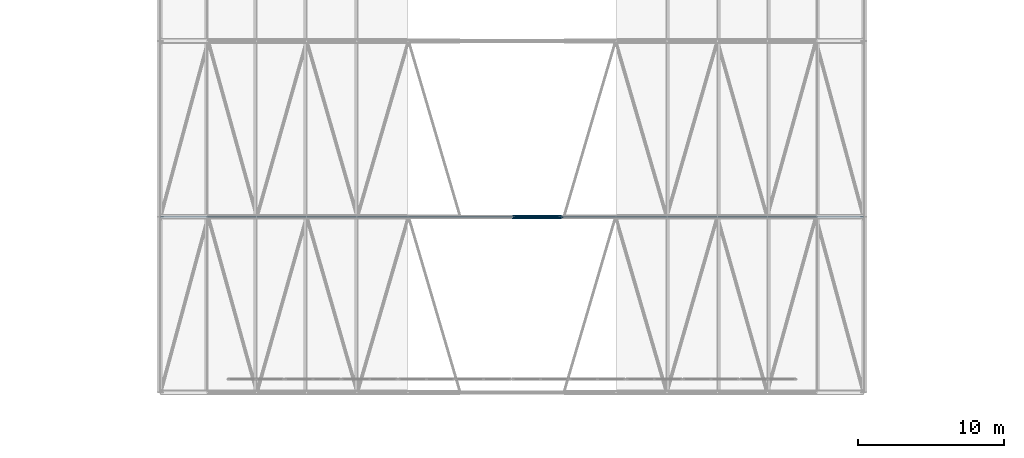
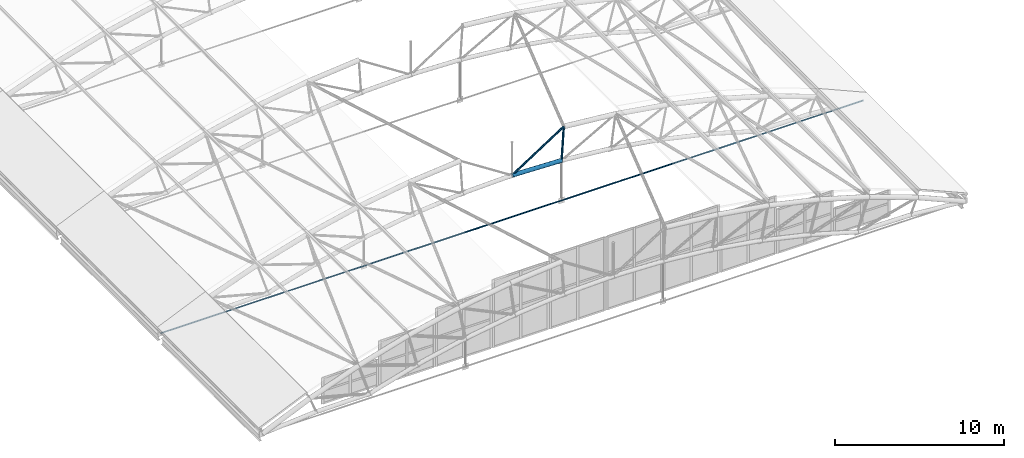
# One storey, part 126 of 321: 4 members.
"""IFC4 building model written with IfcOpenShell, lengths in metres."""

from ifc_helpers import new_model, si_unit, direction, frame, origin, origin_2d, place, context, subcontext, project, spatial, circle, hollow_circle, extrude, material, material_profile, profile_set, type_object, element, save


model = new_model("IFC4")

# Units and contexts
model_context = context("Model", 3, precision=1e-05, world=origin(), true_north=direction((0.0, 1.0)))
body_context = subcontext(model_context, "Body", "Model", "MODEL_VIEW")
ifc_project = project(units=[si_unit("LENGTHUNIT", "METRE"), si_unit("AREAUNIT", "SQUARE_METRE"), si_unit("VOLUMEUNIT", "CUBIC_METRE"), si_unit("PLANEANGLEUNIT", "RADIAN"), si_unit("MASSUNIT", "GRAM", prefix="KILO")], contexts=[model_context])

# Site, building, storey
site_placement = place(None, origin())
site = spatial("IfcSite", under=ifc_project, at=site_placement, CompositionType="ELEMENT")
building_placement = place(site_placement, origin())
building = spatial("IfcBuilding", under=site, at=building_placement, Name="Ravi Spectrum Wholesale Market", CompositionType="ELEMENT")
storey_placement = place(building_placement, frame((0.0, 0.0, 10.800048828125)))
storey = spatial("IfcBuildingStorey", under=building, at=storey_placement, Name="L02", CompositionType="ELEMENT", Elevation=10.800048828125)

# Members
ifc_material_1 = material(Name="Steel S355", Category="steel")
ifc_material_profile_1 = material_profile(ifc_material_1, hollow_circle(Radius=0.06982421875, WallThickness=0.0048828125, at=origin_2d()))
ifc_profile_set_1 = profile_set([ifc_material_profile_1], Name="Steel S355")
member_type_1 = type_object("IfcMemberType", Name="CHS 139.7x5 brace", PredefinedType="BRACE", material=ifc_profile_set_1)
member_1_placement = place(storey_placement, frame((177.540771484375, 90.0, 5.2880859375), z_axis=(-0.839894736946, 0.0, -0.542749325978), x_axis=(0.0, -1.0, 0.0)))
element("IfcMember", 1, at=member_1_placement, inside=storey, type_object=member_type_1, Name="H2-MB-L02-104", PredefinedType="BRACE", context=body_context, shape_type="SweptSolid", body=[
    extrude(hollow_circle(Radius=0.06982421875, WallThickness=0.0048828125, at=origin_2d()), origin(), (0.0, 0.0, 1.0), 4.2158203125),
])
ifc_material_2 = material(Name="Steel S355", Category="steel")
ifc_material_profile_2 = material_profile(ifc_material_2, hollow_circle(Radius=0.06982421875, WallThickness=0.0048828125, at=origin_2d()))
ifc_profile_set_2 = profile_set([ifc_material_profile_2], Name="Steel S355")
member_type_2 = type_object("IfcMemberType", Name="CHS 139.7x5 post", PredefinedType="POST", material=ifc_profile_set_2)
member_2_placement = place(storey_placement, frame((177.540771484375, 90.0, 5.2880859375), z_axis=(-0.06316988397, 0.0, -0.998002788453), x_axis=(0.0, -1.0, 0.0)))
element("IfcMember", 2, at=member_2_placement, inside=storey, type_object=member_type_2, Name="H2-MB-L02-092", PredefinedType="POST", context=body_context, shape_type="SweptSolid", body=[
    extrude(hollow_circle(Radius=0.06982421875, WallThickness=0.0048828125, at=origin_2d()), origin(), (0.0, 0.0, 1.0), 2.400146484375),
])
ifc_material_3 = material(Name="Steel S355", Category="steel")
ifc_material_profile_3 = material_profile(ifc_material_3, hollow_circle(Radius=0.136474609375, WallThickness=0.010009765625, at=origin_2d()))
ifc_profile_set_3 = profile_set([ifc_material_profile_3], Name="Steel S355")
member_type_3 = type_object("IfcMemberType", Name="CHS 273x10 chord", PredefinedType="CHORD", material=ifc_profile_set_3)
member_3_placement = place(storey_placement, frame((174.0, 90.0, 3.0), z_axis=(0.999500345993, 0.0, -0.031607884447), x_axis=(0.0, 1.0, 0.0)))
element("IfcMember", 3, at=member_3_placement, inside=storey, type_object=member_type_3, Name="H2-MB-L02-078", PredefinedType="CHORD", context=body_context, shape_type="SweptSolid", body=[
    extrude(hollow_circle(Radius=0.136474609375, WallThickness=0.010009765625, at=origin_2d()), origin(), (0.0, 0.0, 1.0), 3.390869140625),
])
ifc_material_4 = material(Name="Steel S460", Category="steel")
ifc_material_profile_4 = material_profile(ifc_material_4, circle(Radius=0.034912109375, at=origin_2d()))
ifc_profile_set_4 = profile_set([ifc_material_profile_4], Name="Steel S460")
member_type_4 = type_object("IfcMemberType", Name="ROD 70 tie", PredefinedType="BRACE", material=ifc_profile_set_4)
member_4_placement = place(storey_placement, frame((150.0, 90.0, 0.0), z_axis=(1.0, 0.0, 0.0), x_axis=(0.0, 1.0, 0.0)))
element("IfcMember", 4, at=member_4_placement, inside=storey, type_object=member_type_4, Name="H2-MB-L02-110", PredefinedType="BRACE", context=body_context, shape_type="SweptSolid", body=[
    extrude(circle(Radius=0.034912109375, at=origin_2d()), origin(), (0.0, 0.0, 1.0), 48.0),
])

save(model, "model.ifc")
